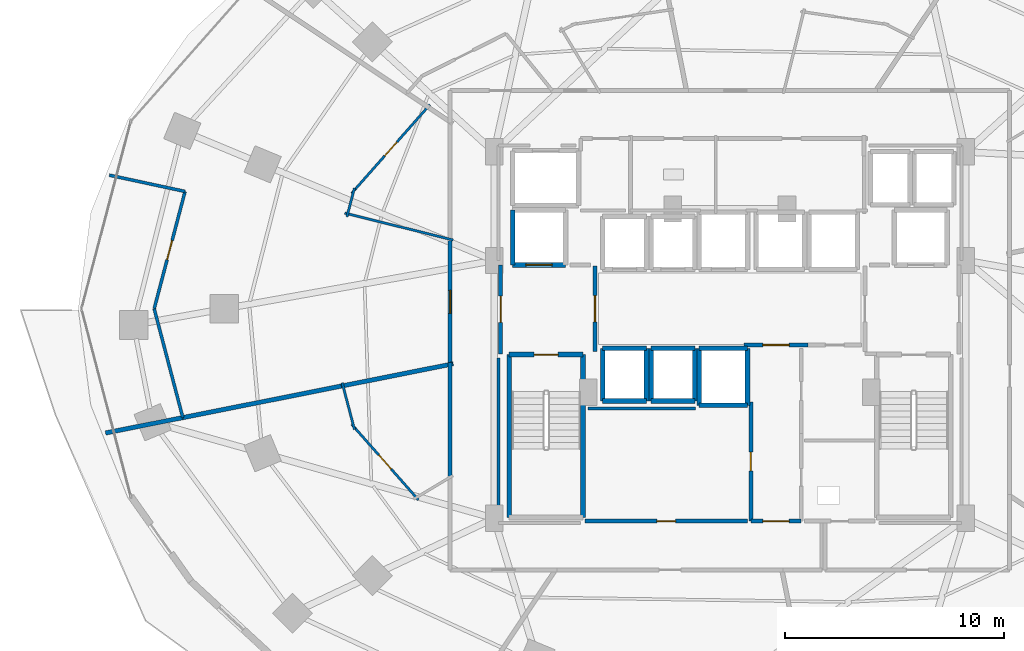
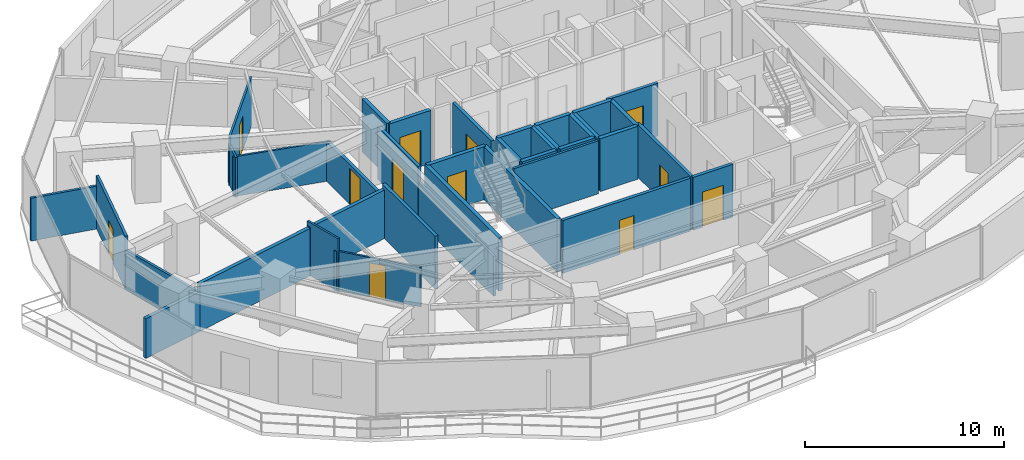
# One storey, part 26 of 33: 38 walls, 12 doors, 12 openings.
"""IFC4 building model written with IfcOpenShell, lengths in metres."""

import ifcopenshell
import ifcopenshell.guid

model = None  # the IFC model being written
_history = None  # IfcOwnerHistory: only IFC2X3 demands one
_inside = {}  # id of a spatial element -> (the spatial element, [elements in it])
_under = {}  # id of a project, library or spatial element -> (it, [spatial elements below it])
_declared = {}  # id of a project -> (the project, [libraries it declares])
_typed = {}  # id of a type object -> (the type object, [elements of that type])
_made_of = {}  # id of a material, layer set ... -> (it, [elements and type objects made of it])


def new_model(schema):
    """Start an empty IFC model of exactly this schema.

    Asked for "IFC4X3", IfcOpenShell would pick the latest addendum, in which some entities
    have other attributes; the version numbers below select the first issue.
    IFC2X3 requires an IfcOwnerHistory on every rooted entity: one is made here for all.
    """
    global model, _history
    if schema == "IFC4X3":
        model = ifcopenshell.file(schema_version=(4, 3, 0, 0))
    else:
        model = ifcopenshell.file(schema=schema)
    _inside.clear()
    _under.clear()
    _declared.clear()
    _typed.clear()
    _made_of.clear()
    _history = None
    if model.schema == "IFC2X3":
        org = make("IfcOrganization", Name="unknown")
        user = make(
            "IfcPersonAndOrganization",
            ThePerson=make("IfcPerson", FamilyName="unknown"),
            TheOrganization=org,
        )
        app = make(
            "IfcApplication",
            ApplicationDeveloper=org,
            Version="unknown",
            ApplicationFullName="unknown",
            ApplicationIdentifier="unknown",
        )
        _history = make(
            "IfcOwnerHistory",
            OwningUser=user,
            OwningApplication=app,
            ChangeAction="ADDED",
            CreationDate=0,
        )
    return model


def make(cls, **values):
    """One entity of the class cls with the attributes given. An attribute that is None is left unset."""
    return model.create_entity(
        cls, **{name: value for name, value in values.items() if value is not None}
    )


def rooted(cls, **values):
    """An entity with a GlobalId (a new one), such as an element, a storey or a relation."""
    return make(cls, GlobalId=ifcopenshell.guid.new(), OwnerHistory=_history, **values)


def si_unit(unit_type, name, prefix=None):
    """IfcSIUnit, for example si_unit("LENGTHUNIT", "METRE", prefix="MILLI")."""
    return make("IfcSIUnit", UnitType=unit_type, Prefix=prefix, Name=name)


def assignment(units):
    """IfcUnitAssignment: the units of a project."""
    return None if units is None else make("IfcUnitAssignment", Units=units)


def point(xyz):
    """IfcCartesianPoint."""
    return None if xyz is None else make("IfcCartesianPoint", Coordinates=xyz)


def direction(xyz):
    """IfcDirection."""
    return None if xyz is None else make("IfcDirection", DirectionRatios=xyz)


def frame(location, z_axis=None, x_axis=None):
    """IfcAxis2Placement3D, a coordinate frame: its origin and axes. An axis left out is left unset."""
    return make(
        "IfcAxis2Placement3D",
        Location=point(location),
        Axis=direction(z_axis),
        RefDirection=direction(x_axis),
    )


def frame_2d(location, x_axis=None):
    """IfcAxis2Placement2D, a coordinate frame in the plane: its origin and x axis."""
    return make(
        "IfcAxis2Placement2D", Location=point(location), RefDirection=direction(x_axis)
    )


def origin():
    """The frame at (0, 0, 0) with its axes left unset."""
    return frame((0.0, 0.0, 0.0))


def place(relative_to, where):
    """IfcLocalPlacement: puts the frame where relative to a parent placement (None: the world)."""
    return make(
        "IfcLocalPlacement", PlacementRelTo=relative_to, RelativePlacement=where
    )


def context(
    kind, dimensions, precision=None, world=None, true_north=None, identifier=None
):
    """IfcGeometricRepresentationContext, for example the 3D "Model" context."""
    return make(
        "IfcGeometricRepresentationContext",
        ContextIdentifier=identifier,
        ContextType=kind,
        CoordinateSpaceDimension=dimensions,
        Precision=precision,
        WorldCoordinateSystem=world,
        TrueNorth=true_north,
    )


def subcontext(parent, identifier, kind, view, scale=None):
    """IfcGeometricRepresentationSubContext, for example "Body" below "Model"."""
    return make(
        "IfcGeometricRepresentationSubContext",
        ContextIdentifier=identifier,
        ContextType=kind,
        ParentContext=parent,
        TargetScale=scale,
        TargetView=view,
    )


def project(units=None, contexts=None):
    """IfcProject with its units and contexts."""
    return rooted(
        "IfcProject",
        Name="project",
        RepresentationContexts=contexts,
        UnitsInContext=assignment(units),
    )


def spatial(cls, under=None, at=None, **own):
    """A site, building, storey or space (cls), placed at a placement, below another one or the project."""
    s = rooted(cls, ObjectPlacement=at, **own)
    if under is not None:
        _under.setdefault(under.id(), (under, []))[1].append(s)
    return s


def profile(cls, at=None, kind="AREA", **sizes):
    """A parametric profile (cls). Its sizes go by their IFC names, for example OverallWidth=200.0."""
    return make(cls, ProfileType=kind, Position=at, **sizes)


def rectangle(**sizes):
    """IfcRectangleProfileDef."""
    return profile("IfcRectangleProfileDef", **sizes)


def extrude(swept, where, along, depth):
    """IfcExtrudedAreaSolid: the profile swept, set in the frame where, extruded along a direction by depth."""
    return make(
        "IfcExtrudedAreaSolid",
        SweptArea=swept,
        Position=where,
        ExtrudedDirection=direction(along),
        Depth=depth,
    )


def shape(context_of_items, identifier, shape_type, items):
    """IfcShapeRepresentation: the items that make up one representation, for example the "Body"."""
    return make(
        "IfcShapeRepresentation",
        ContextOfItems=context_of_items,
        RepresentationIdentifier=identifier,
        RepresentationType=shape_type,
        Items=items,
    )


def material(Name=None, Category=None):
    """IfcMaterial."""
    return make("IfcMaterial", Name=Name, Category=Category)


def layer(
    of_material, thickness, ventilated=None, Name=None, Category=None, Priority=None
):
    """IfcMaterialLayer: one layer of a wall or slab, of a material (None: an air gap)."""
    return make(
        "IfcMaterialLayer",
        Material=of_material,
        LayerThickness=thickness,
        IsVentilated=ventilated,
        Name=Name,
        Category=Category,
        Priority=Priority,
    )


def layer_set(layers, Name=None):
    """IfcMaterialLayerSet."""
    return make("IfcMaterialLayerSet", MaterialLayers=layers, LayerSetName=Name)


def made_of(thing, what):
    """Note that an element or type object is made of a material, layer set ...; save() writes the relation."""
    if what is not None:
        _made_of.setdefault(what.id(), (what, []))[1].append(thing)
    return thing


def type_object(cls, material=None, **own):
    """A type object (cls), such as IfcWallType, which elements share."""
    return made_of(rooted(cls, **own), material)


def element(
    cls,
    number,
    at=None,
    inside=None,
    cuts=None,
    type_object=None,
    material=None,
    context=None,
    identifier="Body",
    shape_type=None,
    held_by="IfcProductDefinitionShape",
    body=None,
    shapes=None,
    **own,
):
    """One element of the class cls, such as IfcWall. Its Tag is "e" and its number.

    at: its placement. inside: the storey or other place that contains it. cuts: it is an
    opening in that element (IfcRelVoidsElement). A single representation is given by context,
    identifier, shape_type and body (its items); several are given by shapes. held_by: the class
    of the entity that holds the representations. save() writes the other relations.
    """
    e = rooted(cls, Tag="e%d" % number, ObjectPlacement=at, **own)
    if body is not None:
        shapes = [shape(context, identifier, shape_type, body)]
    if shapes is not None:
        e.Representation = make(held_by, Representations=shapes)
    if inside is not None:
        _inside.setdefault(inside.id(), (inside, []))[1].append(e)
    if cuts is not None:
        rooted(
            "IfcRelVoidsElement", RelatingBuildingElement=cuts, RelatedOpeningElement=e
        )
    if type_object is not None:
        _typed.setdefault(type_object.id(), (type_object, []))[1].append(e)
    return made_of(e, material)


def fill(opening, filler):
    """IfcRelFillsElement: the door or window that sits in an opening."""
    return rooted(
        "IfcRelFillsElement",
        RelatingOpeningElement=opening,
        RelatedBuildingElement=filler,
    )


def aggregate(whole, parts):
    """IfcRelAggregates: a whole, such as a stair, and the parts it consists of."""
    return rooted("IfcRelAggregates", RelatingObject=whole, RelatedObjects=parts)


def save(model, path):
    """Write the relations noted so far, then the file.

    IfcRelAggregates (storeys below a building ...), IfcRelContainedInSpatialStructure (elements
    in a storey), IfcRelDefinesByType, IfcRelAssociatesMaterial and IfcRelDeclares: one each for
    every whole, place, type object, material and project.
    """
    for whole, parts in _under.values():
        aggregate(whole, parts)
    for where, things in _inside.values():
        rooted(
            "IfcRelContainedInSpatialStructure",
            RelatedElements=things,
            RelatingStructure=where,
        )
    for kind, things in _typed.values():
        rooted("IfcRelDefinesByType", RelatedObjects=things, RelatingType=kind)
    for what, things in _made_of.values():
        rooted("IfcRelAssociatesMaterial", RelatedObjects=things, RelatingMaterial=what)
    for by, libraries in _declared.values():
        rooted("IfcRelDeclares", RelatingContext=by, RelatedDefinitions=libraries)
    model.write(path)


model = new_model("IFC4")

# Units and contexts
model_context = context("Model", 3, precision=1e-05, world=origin(), true_north=direction((0.0, 1.0)))
body_context = subcontext(model_context, "Body", "Model", "MODEL_VIEW")
ifc_project = project(units=[si_unit("LENGTHUNIT", "METRE"), si_unit("AREAUNIT", "SQUARE_METRE"), si_unit("VOLUMEUNIT", "CUBIC_METRE"), si_unit("PLANEANGLEUNIT", "RADIAN"), si_unit("MASSUNIT", "GRAM", prefix="KILO")], contexts=[model_context])

# Site, building, storey
site_placement = place(None, origin())
site = spatial("IfcSite", under=ifc_project, at=site_placement, CompositionType="ELEMENT")
building_placement = place(site_placement, origin())
building = spatial("IfcBuilding", under=site, at=building_placement, Name="Vorneva Point Tower", CompositionType="ELEMENT")
storey_placement = place(building_placement, frame((0.0, 0.0, 34.5)))
storey = spatial("IfcBuildingStorey", under=building, at=storey_placement, Name="L08", CompositionType="ELEMENT", Elevation=34.5)

# Wall, opening, door
ifc_material_1 = material(Name="Concrete B60 (C50/60)", Category="concrete")
ifc_layer_1 = layer(ifc_material_1, 0.5)
ifc_layer_set_1 = layer_set([ifc_layer_1], Name="Concrete B60 (C50/60)")
wall_type_1 = type_object("IfcWallType", Name="WL-CORE-500", PredefinedType="SHEAR", material=ifc_layer_set_1)
wall_1_placement = place(storey_placement, frame((28.10009765625, 28.0, 0.0), z_axis=(0.0, 0.0, 1.0), x_axis=(1.0, 0.0, 0.0)))
wall_1 = element("IfcWall", 1, at=wall_1_placement, inside=storey, type_object=wall_type_1, Name="L08 Lift FFL1 Shaft Wall -Y", PredefinedType="SHEAR", context=body_context, shape_type="SweptSolid", body=[
    extrude(rectangle(XDim=2.39990234375, YDim=0.219970703125, at=frame_2d((1.199951171875, 0.0))), origin(), (0.0, 0.0, 1.0), 3.239990234375),
])
opening_1_placement = place(wall_1_placement, frame((0.60009765625, 0.0, 0.0)))
opening_1 = element("IfcOpeningElement", 2, at=opening_1_placement, cuts=wall_1, Name="Opening LD-02", PredefinedType="OPENING", context=body_context, shape_type="SweptSolid", body=[
    extrude(rectangle(XDim=1.199951171875, YDim=2.199951171875, at=frame_2d((0.60009765625, 1.10009765625))), frame((0.0, 0.125, 0.0), z_axis=(0.0, -1.0, 0.0), x_axis=(1.0, 0.0, 0.0)), (0.0, 0.0, 1.0), 0.249755859375),
])
ifc_material_2 = material(Name="Brushed stainless steel S304", Category="steel")
door_type_1 = type_object("IfcDoorType", Name="LD-FIRE-1200", OperationType="SLIDING_TO_LEFT", PredefinedType="DOOR", material=ifc_material_2)
door_1_placement = place(opening_1_placement, origin())
door_1 = element("IfcDoor", 3, at=door_1_placement, inside=storey, type_object=door_type_1, Name="L08 Lift FFL1 Sliding Landing Door", OperationType="SLIDING_TO_LEFT", OverallHeight=2.199951171875, OverallWidth=1.199951171875, PredefinedType="DOOR", context=body_context, shape_type="SweptSolid", body=[
    extrude(rectangle(XDim=1.199951171875, YDim=2.199951171875, at=frame_2d((0.60009765625, 1.10009765625))), frame((0.0, 0.02490234375, 0.0), z_axis=(0.0, -1.0, 0.0), x_axis=(1.0, 0.0, 0.0)), (0.0, 0.0, 1.0), 0.050048828125),
])
fill(opening_1, door_1)

# Walls
wall_2_placement = place(storey_placement, frame((28.10009765625, 30.5, 0.0), z_axis=(0.0, 0.0, 1.0), x_axis=(0.0, -1.0, 0.0)))
element("IfcWall", 4, at=wall_2_placement, inside=storey, type_object=wall_type_1, Name="L08 Lift FFL1 Shaft Wall -X", PredefinedType="SHEAR", context=body_context, shape_type="SweptSolid", body=[
    extrude(rectangle(XDim=2.5, YDim=0.219970703125, at=frame_2d((1.25, 0.0))), origin(), (0.0, 0.0, 1.0), 3.239990234375),
])
ifc_material_3 = material(Name="Fire-rated acoustic gypsum stud partition", Category="gypsum")
ifc_layer_2 = layer(ifc_material_3, 0.110107421875)
ifc_layer_set_2 = layer_set([ifc_layer_2], Name="Fire-rated acoustic gypsum stud partition")
wall_type_2 = type_object("IfcWallType", Name="WL-PART-110", PredefinedType="PARTITIONING", material=ifc_layer_set_2)
wall_3_placement = place(storey_placement, frame((25.385986328125, 29.13330078125, 0.0), z_axis=(0.0, 0.0, 1.0), x_axis=(-0.970485458541, 0.241159645796, 0.0)))
element("IfcWall", 5, at=wall_3_placement, inside=storey, type_object=wall_type_2, Name="L08 Interior Partition 071", PredefinedType="PARTITIONING", context=body_context, shape_type="SweptSolid", body=[
    extrude(rectangle(XDim=5.09423828125, YDim=0.110107421875, at=frame_2d((2.547119140625, 0.0))), origin(), (0.0, 0.0, 1.0), 2.431884765625),
])
wall_4_placement = place(storey_placement, frame((20.542236328125, 30.192626953125, 0.0), z_axis=(0.0, 0.0, 1.0), x_axis=(0.254988593673, 0.966944060997, 0.0)))
element("IfcWall", 6, at=wall_4_placement, inside=storey, type_object=wall_type_2, Name="L08 Interior Partition 072", PredefinedType="PARTITIONING", context=body_context, shape_type="SweptSolid", body=[
    extrude(rectangle(XDim=1.358642578125, YDim=0.110107421875, at=frame_2d((0.67919921875, 0.0))), origin(), (0.0, 0.0, 1.0), 2.431884765625),
])

# Wall, opening, door
wall_5_placement = place(storey_placement, frame((20.76025390625, 31.26611328125, 0.0), z_axis=(0.0, 0.0, 1.0), x_axis=(0.662087707802, 0.749426358742, 0.0)))
wall_5 = element("IfcWall", 7, at=wall_5_placement, inside=storey, type_object=wall_type_2, Name="L08 Interior Partition 073", PredefinedType="PARTITIONING", context=body_context, shape_type="SweptSolid", body=[
    extrude(rectangle(XDim=5.38671875, YDim=0.110107421875, at=frame_2d((2.693359375, 0.0))), origin(), (0.0, 0.0, 1.0), 2.971923828125),
])
opening_2_placement = place(wall_5_placement, frame((2.268310546875, 0.0, 0.0)))
opening_2 = element("IfcOpeningElement", 8, at=opening_2_placement, cuts=wall_5, Name="Opening ID-02", PredefinedType="OPENING", context=body_context, shape_type="SweptSolid", body=[
    extrude(rectangle(XDim=0.85009765625, YDim=2.10009765625, at=frame_2d((0.425048828125, 1.050048828125))), frame((0.0, 0.06982421875, 0.0), z_axis=(0.0, -1.0, 0.0), x_axis=(1.0, 0.0, 0.0)), (0.0, 0.0, 1.0), 0.139892578125),
])
ifc_material_4 = material(Name="Engineered oak fire-rated door leaf", Category="wood")
door_type_2 = type_object("IfcDoorType", Name="DR-BATH-850", OperationType="NOTDEFINED", PredefinedType="DOOR", material=ifc_material_4)
door_2_placement = place(opening_2_placement, origin())
door_2 = element("IfcDoor", 9, at=door_2_placement, inside=storey, type_object=door_type_2, Name="L08 Door Executive Suite L08-04 / En-Suite Bathroom L08-04", OperationType="SINGLE_SWING_LEFT", OverallHeight=2.10009765625, OverallWidth=0.85009765625, PredefinedType="DOOR", context=body_context, shape_type="SweptSolid", body=[
    extrude(rectangle(XDim=0.85009765625, YDim=2.10009765625, at=frame_2d((0.425048828125, 1.050048828125))), frame((0.0, 0.02490234375, 0.0), z_axis=(0.0, -1.0, 0.0), x_axis=(1.0, 0.0, 0.0)), (0.0, 0.0, 1.0), 0.050048828125),
])
fill(opening_2, door_2)

wall_6_placement = place(storey_placement, frame((23.8017578125, 17.291015625, 0.0), z_axis=(0.0, 0.0, 1.0), x_axis=(-0.662071486681, 0.74944068913, 0.0)))
wall_6 = element("IfcWall", 10, at=wall_6_placement, inside=storey, type_object=wall_type_2, Name="L08 Interior Partition 081", PredefinedType="PARTITIONING", context=body_context, shape_type="SweptSolid", body=[
    extrude(rectangle(XDim=4.593994140625, YDim=0.110107421875, at=frame_2d((2.296875, 0.0))), origin(), (0.0, 0.0, 1.0), 2.431884765625),
])
opening_3_placement = place(wall_6_placement, frame((1.871826171875, 0.0, 0.0)))
opening_3 = element("IfcOpeningElement", 11, at=opening_3_placement, cuts=wall_6, Name="Opening ID-02", PredefinedType="OPENING", context=body_context, shape_type="SweptSolid", body=[
    extrude(rectangle(XDim=0.85009765625, YDim=2.10009765625, at=frame_2d((0.425048828125, 1.050048828125))), frame((0.0, 0.06982421875, 0.0), z_axis=(0.0, -1.0, 0.0), x_axis=(1.0, 0.0, 0.0)), (0.0, 0.0, 1.0), 0.139892578125),
])
door_3_placement = place(opening_3_placement, origin())
door_3 = element("IfcDoor", 12, at=door_3_placement, inside=storey, type_object=door_type_2, Name="L08 Door Corner Suite L08-05 / En-Suite Bathroom L08-05", OperationType="SINGLE_SWING_LEFT", OverallHeight=2.10009765625, OverallWidth=0.85009765625, PredefinedType="DOOR", context=body_context, shape_type="SweptSolid", body=[
    extrude(rectangle(XDim=0.85009765625, YDim=2.10009765625, at=frame_2d((0.425048828125, 1.050048828125))), frame((0.0, 0.02490234375, 0.0), z_axis=(0.0, -1.0, 0.0), x_axis=(1.0, 0.0, 0.0)), (0.0, 0.0, 1.0), 0.050048828125),
])
fill(opening_3, door_3)

# Walls
wall_7_placement = place(storey_placement, frame((20.888671875, 20.49365234375, 0.0), z_axis=(0.0, 0.0, 1.0), x_axis=(-0.254389812051, 0.967101764823, 0.0)))
element("IfcWall", 13, at=wall_7_placement, inside=storey, type_object=wall_type_2, Name="L08 Interior Partition 082", PredefinedType="PARTITIONING", context=body_context, shape_type="SweptSolid", body=[
    extrude(rectangle(XDim=2.206298828125, YDim=0.110107421875, at=frame_2d((1.10302734375, 0.0))), origin(), (0.0, 0.0, 1.0), 3.239990234375),
])
ifc_layer_3 = layer(ifc_material_3, 0.139892578125)
ifc_layer_set_3 = layer_set([ifc_layer_3], Name="Fire-rated acoustic gypsum stud partition")
wall_type_3 = type_object("IfcWallType", Name="WL-PART-140", PredefinedType="PARTITIONING", material=ifc_layer_set_3)
wall_8_placement = place(storey_placement, frame((9.712890625, 32.090087890625, 0.0), z_axis=(0.0, 0.0, 1.0), x_axis=(0.977615913399, -0.210397542448, 0.0)))
element("IfcWall", 14, at=wall_8_placement, inside=storey, type_object=wall_type_3, Name="L08 Interior Partition 074", PredefinedType="PARTITIONING", context=body_context, shape_type="SweptSolid", body=[
    extrude(rectangle(XDim=3.5322265625, YDim=0.139892578125, at=frame_2d((1.76611328125, 0.0))), origin(), (0.0, 0.0, 1.0), 2.6240234375),
])

# Wall, opening, door
wall_9_placement = place(storey_placement, frame((13.166015625, 31.346923828125, 0.0), z_axis=(0.0, 0.0, 1.0), x_axis=(-0.25431071056, -0.967122568496, 0.0)))
wall_9 = element("IfcWall", 15, at=wall_9_placement, inside=storey, type_object=wall_type_3, Name="L08 Interior Partition 075", PredefinedType="PARTITIONING", context=body_context, shape_type="SweptSolid", body=[
    extrude(rectangle(XDim=5.52880859375, YDim=0.139892578125, at=frame_2d((2.764404296875, 0.0))), origin(), (0.0, 0.0, 1.0), 3.239990234375),
])
opening_4_placement = place(wall_9_placement, frame((2.314453125, 0.0, 0.0)))
opening_4 = element("IfcOpeningElement", 16, at=opening_4_placement, cuts=wall_9, Name="Opening ID-01", PredefinedType="OPENING", context=body_context, shape_type="SweptSolid", body=[
    extrude(rectangle(XDim=0.89990234375, YDim=2.10009765625, at=frame_2d((0.449951171875, 1.050048828125))), frame((0.0, 0.0849609375, 0.0), z_axis=(0.0, -1.0, 0.0), x_axis=(1.0, 0.0, 0.0)), (0.0, 0.0, 1.0), 0.169677734375),
])
door_type_3 = type_object("IfcDoorType", Name="DR-ROOM-900", OperationType="NOTDEFINED", PredefinedType="DOOR", material=ifc_material_4)
door_4_placement = place(opening_4_placement, origin())
door_4 = element("IfcDoor", 17, at=door_4_placement, inside=storey, type_object=door_type_3, Name="L08 Door Executive Suite L08-04 / Suite Sitting Study L08-04", OperationType="SINGLE_SWING_RIGHT", OverallHeight=2.10009765625, OverallWidth=0.89990234375, PredefinedType="DOOR", context=body_context, shape_type="SweptSolid", body=[
    extrude(rectangle(XDim=0.89990234375, YDim=2.10009765625, at=frame_2d((0.449951171875, 1.050048828125))), frame((0.0, 0.02490234375, 0.0), z_axis=(0.0, -1.0, 0.0), x_axis=(1.0, 0.0, 0.0)), (0.0, 0.0, 1.0), 0.050048828125),
])
fill(opening_4, door_4)

# Walls
wall_10_placement = place(storey_placement, frame((11.760009765625, 26.0, 0.0), z_axis=(0.0, 0.0, 1.0), x_axis=(0.254434720755, -0.967089950767, 0.0)))
element("IfcWall", 18, at=wall_10_placement, inside=storey, type_object=wall_type_3, Name="L08 Interior Partition 076", PredefinedType="PARTITIONING", context=body_context, shape_type="SweptSolid", body=[
    extrude(rectangle(XDim=5.128662109375, YDim=0.139892578125, at=frame_2d((2.564453125, 0.0))), origin(), (0.0, 0.0, 1.0), 2.431884765625),
])
wall_11_placement = place(storey_placement, frame((36.43896484375, 21.449951171875, 0.0), z_axis=(0.0, 0.0, 1.0), x_axis=(-1.0, 0.0, 0.0)))
element("IfcWall", 19, at=wall_11_placement, inside=storey, type_object=wall_type_3, Name="L08 Interior Closure Partition 093", PredefinedType="PARTITIONING", context=body_context, shape_type="SweptSolid", body=[
    extrude(rectangle(XDim=4.908935546875, YDim=0.139892578125, at=frame_2d((2.45458984375, 0.0))), origin(), (0.0, 0.0, 1.0), 3.239990234375),
])
wall_12_placement = place(storey_placement, frame((27.449951171875, 16.239990234375, 0.0), z_axis=(0.0, 0.0, 1.0), x_axis=(0.0, 1.0, 0.0)))
element("IfcWall", 20, at=wall_12_placement, inside=storey, type_object=wall_type_3, Name="L08 Interior Closure Partition 099", PredefinedType="PARTITIONING", context=body_context, shape_type="SweptSolid", body=[
    extrude(rectangle(XDim=7.513916015625, YDim=0.139892578125, at=frame_2d((3.7568359375, 0.0))), origin(), (0.0, 0.0, 1.0), 2.431884765625),
])

# Wall, opening, door
ifc_material_5 = material(Name="Autoclaved aerated concrete blockwork", Category="masonry")
ifc_layer_4 = layer(ifc_material_5, 0.179931640625)
ifc_layer_set_4 = layer_set([ifc_layer_4], Name="Autoclaved aerated concrete blockwork")
wall_type_4 = type_object("IfcWallType", Name="WL-PART-180", PredefinedType="PARTITIONING", material=ifc_layer_set_4)
wall_13_placement = place(storey_placement, frame((31.85009765625, 24.044921875, 0.0), z_axis=(0.0, 0.0, 1.0), x_axis=(0.0, 1.0, 0.0)))
wall_13 = element("IfcWall", 21, at=wall_13_placement, inside=storey, type_object=wall_type_4, Name="L08 Interior Partition 001", PredefinedType="PARTITIONING", context=body_context, shape_type="SweptSolid", body=[
    extrude(rectangle(XDim=3.91015625, YDim=0.179931640625, at=frame_2d((1.955078125, 0.0))), origin(), (0.0, 0.0, 1.0), 3.239990234375),
])
opening_5_placement = place(wall_13_placement, frame((1.35498046875, 0.0, 0.0)))
opening_5 = element("IfcOpeningElement", 22, at=opening_5_placement, cuts=wall_13, Name="Opening FD-02", PredefinedType="OPENING", context=body_context, shape_type="SweptSolid", body=[
    extrude(rectangle(XDim=1.199951171875, YDim=2.14990234375, at=frame_2d((0.60009765625, 1.074951171875))), frame((0.0, 0.10498046875, 0.0), z_axis=(0.0, -1.0, 0.0), x_axis=(1.0, 0.0, 0.0)), (0.0, 0.0, 1.0), 0.209716796875),
])
ifc_material_6 = material(Name="Fire-rated powder-coated steel", Category="steel")
door_type_4 = type_object("IfcDoorType", Name="DR-FFL-1200", OperationType="NOTDEFINED", PredefinedType="DOOR", material=ifc_material_6)
door_5_placement = place(opening_5_placement, origin())
door_5 = element("IfcDoor", 23, at=door_5_placement, inside=storey, type_object=door_type_4, Name="L08 Door West Firefighting Lobby / Central Lift Lobby", OperationType="SINGLE_SWING_RIGHT", OverallHeight=2.14990234375, OverallWidth=1.199951171875, PredefinedType="DOOR", context=body_context, shape_type="SweptSolid", body=[
    extrude(rectangle(XDim=1.199951171875, YDim=2.14990234375, at=frame_2d((0.60009765625, 1.074951171875))), frame((0.0, 0.02490234375, 0.0), z_axis=(0.0, -1.0, 0.0), x_axis=(1.0, 0.0, 0.0)), (0.0, 0.0, 1.0), 0.050048828125),
])
fill(opening_5, door_5)

wall_14_placement = place(storey_placement, frame((27.550048828125, 28.0, 0.0), z_axis=(0.0, 0.0, 1.0), x_axis=(0.0, -1.0, 0.0)))
wall_14 = element("IfcWall", 24, at=wall_14_placement, inside=storey, type_object=wall_type_4, Name="L08 Interior Partition 002", PredefinedType="PARTITIONING", context=body_context, shape_type="SweptSolid", body=[
    extrude(rectangle(XDim=4.050048828125, YDim=0.179931640625, at=frame_2d((2.02490234375, 0.0))), origin(), (0.0, 0.0, 1.0), 3.239990234375),
])
opening_6_placement = place(wall_14_placement, frame((1.425048828125, 0.0, 0.0)))
opening_6 = element("IfcOpeningElement", 25, at=opening_6_placement, cuts=wall_14, Name="Opening FD-02", PredefinedType="OPENING", context=body_context, shape_type="SweptSolid", body=[
    extrude(rectangle(XDim=1.199951171875, YDim=2.14990234375, at=frame_2d((0.60009765625, 1.074951171875))), frame((0.0, 0.10498046875, 0.0), z_axis=(0.0, -1.0, 0.0), x_axis=(1.0, 0.0, 0.0)), (0.0, 0.0, 1.0), 0.209716796875),
])
door_6_placement = place(opening_6_placement, origin())
door_6 = element("IfcDoor", 26, at=door_6_placement, inside=storey, type_object=door_type_4, Name="L08 Door West Firefighting Lobby / L08 Circulation Corridor", OperationType="SINGLE_SWING_RIGHT", OverallHeight=2.14990234375, OverallWidth=1.199951171875, PredefinedType="DOOR", context=body_context, shape_type="SweptSolid", body=[
    extrude(rectangle(XDim=1.199951171875, YDim=2.14990234375, at=frame_2d((0.60009765625, 1.074951171875))), frame((0.0, 0.02490234375, 0.0), z_axis=(0.0, -1.0, 0.0), x_axis=(1.0, 0.0, 0.0)), (0.0, 0.0, 1.0), 0.050048828125),
])
fill(opening_6, door_6)

wall_15_placement = place(storey_placement, frame((38.64501953125, 24.35009765625, 0.0), z_axis=(0.0, 0.0, 1.0), x_axis=(1.0, 0.0, 0.0)))
wall_15 = element("IfcWall", 27, at=wall_15_placement, inside=storey, type_object=wall_type_4, Name="L08 Interior Partition 009", PredefinedType="PARTITIONING", context=body_context, shape_type="SweptSolid", body=[
    extrude(rectangle(XDim=2.909912109375, YDim=0.179931640625, at=frame_2d((1.455078125, 0.0))), origin(), (0.0, 0.0, 1.0), 3.239990234375),
])
opening_7_placement = place(wall_15_placement, frame((0.85498046875, 0.0, 0.0)))
opening_7 = element("IfcOpeningElement", 28, at=opening_7_placement, cuts=wall_15, Name="Opening FD-02", PredefinedType="OPENING", context=body_context, shape_type="SweptSolid", body=[
    extrude(rectangle(XDim=1.199951171875, YDim=2.14990234375, at=frame_2d((0.60009765625, 1.074951171875))), frame((0.0, 0.10498046875, 0.0), z_axis=(0.0, -1.0, 0.0), x_axis=(1.0, 0.0, 0.0)), (0.0, 0.0, 1.0), 0.209716796875),
])
door_7_placement = place(opening_7_placement, origin())
door_7 = element("IfcDoor", 29, at=door_7_placement, inside=storey, type_object=door_type_4, Name="L08 Door Central Lift Lobby / Core Service Lobby", OperationType="SINGLE_SWING_LEFT", OverallHeight=2.14990234375, OverallWidth=1.199951171875, PredefinedType="DOOR", context=body_context, shape_type="SweptSolid", body=[
    extrude(rectangle(XDim=1.199951171875, YDim=2.14990234375, at=frame_2d((0.60009765625, 1.074951171875))), frame((0.0, 0.02490234375, 0.0), z_axis=(0.0, -1.0, 0.0), x_axis=(1.0, 0.0, 0.0)), (0.0, 0.0, 1.0), 0.050048828125),
])
fill(opening_7, door_7)

wall_16_placement = place(storey_placement, frame((38.949951171875, 21.7548828125, 0.0), z_axis=(0.0, 0.0, 1.0), x_axis=(0.0, -1.0, 0.0)))
wall_16 = element("IfcWall", 30, at=wall_16_placement, inside=storey, type_object=wall_type_4, Name="L08 Interior Partition 013", PredefinedType="PARTITIONING", context=body_context, shape_type="SweptSolid", body=[
    extrude(rectangle(XDim=5.434814453125, YDim=0.179931640625, at=frame_2d((2.71728515625, 0.0))), origin(), (0.0, 0.0, 1.0), 3.239990234375),
])
opening_8_placement = place(wall_16_placement, frame((2.29248046875, 0.0, 0.0)))
opening_8 = element("IfcOpeningElement", 31, at=opening_8_placement, cuts=wall_16, Name="Opening ID-02", PredefinedType="OPENING", context=body_context, shape_type="SweptSolid", body=[
    extrude(rectangle(XDim=0.85009765625, YDim=2.10009765625, at=frame_2d((0.425048828125, 1.050048828125))), frame((0.0, 0.10498046875, 0.0), z_axis=(0.0, -1.0, 0.0), x_axis=(1.0, 0.0, 0.0)), (0.0, 0.0, 1.0), 0.209716796875),
])
door_8_placement = place(opening_8_placement, origin())
door_8 = element("IfcDoor", 32, at=door_8_placement, inside=storey, type_object=door_type_2, Name="L08 Door Core Service Lobby / Housekeeping and Linen Room", OperationType="SINGLE_SWING_LEFT", OverallHeight=2.10009765625, OverallWidth=0.85009765625, PredefinedType="DOOR", context=body_context, shape_type="SweptSolid", body=[
    extrude(rectangle(XDim=0.85009765625, YDim=2.10009765625, at=frame_2d((0.425048828125, 1.050048828125))), frame((0.0, 0.02490234375, 0.0), z_axis=(0.0, -1.0, 0.0), x_axis=(1.0, 0.0, 0.0)), (0.0, 0.0, 1.0), 0.050048828125),
])
fill(opening_8, door_8)

wall_17_placement = place(storey_placement, frame((38.949951171875, 16.320068359375, 0.0), z_axis=(0.0, 0.0, 1.0), x_axis=(1.0, 0.0, 0.0)))
wall_17 = element("IfcWall", 33, at=wall_17_placement, inside=storey, type_object=wall_type_4, Name="L08 Interior Partition 014", PredefinedType="PARTITIONING", context=body_context, shape_type="SweptSolid", body=[
    extrude(rectangle(XDim=2.300048828125, YDim=0.179931640625, at=frame_2d((1.14990234375, 0.0))), origin(), (0.0, 0.0, 1.0), 3.239990234375),
])
opening_9_placement = place(wall_17_placement, frame((0.550048828125, 0.0, 0.0)))
opening_9 = element("IfcOpeningElement", 34, at=opening_9_placement, cuts=wall_17, Name="Opening FD-02", PredefinedType="OPENING", context=body_context, shape_type="SweptSolid", body=[
    extrude(rectangle(XDim=1.199951171875, YDim=2.14990234375, at=frame_2d((0.60009765625, 1.074951171875))), frame((0.0, 0.10498046875, 0.0), z_axis=(0.0, -1.0, 0.0), x_axis=(1.0, 0.0, 0.0)), (0.0, 0.0, 1.0), 0.209716796875),
])
door_9_placement = place(opening_9_placement, origin())
door_9 = element("IfcDoor", 35, at=door_9_placement, inside=storey, type_object=door_type_4, Name="L08 Door Core Service Lobby / L08 Circulation Corridor", OperationType="SINGLE_SWING_RIGHT", OverallHeight=2.14990234375, OverallWidth=1.199951171875, PredefinedType="DOOR", context=body_context, shape_type="SweptSolid", body=[
    extrude(rectangle(XDim=1.199951171875, YDim=2.14990234375, at=frame_2d((0.60009765625, 1.074951171875))), frame((0.0, 0.02490234375, 0.0), z_axis=(0.0, -1.0, 0.0), x_axis=(1.0, 0.0, 0.0)), (0.0, 0.0, 1.0), 0.050048828125),
])
fill(opening_9, door_9)

wall_18_placement = place(storey_placement, frame((31.39990234375, 16.320068359375, 0.0), z_axis=(0.0, 0.0, 1.0), x_axis=(1.0, 0.0, 0.0)))
wall_18 = element("IfcWall", 36, at=wall_18_placement, inside=storey, type_object=wall_type_4, Name="L08 Interior Partition 021", PredefinedType="PARTITIONING", context=body_context, shape_type="SweptSolid", body=[
    extrude(rectangle(XDim=7.400146484375, YDim=0.179931640625, at=frame_2d((3.7001953125, 0.0))), origin(), (0.0, 0.0, 1.0), 3.239990234375),
])
opening_10_placement = place(wall_18_placement, frame((3.27490234375, 0.0, 0.0)))
opening_10 = element("IfcOpeningElement", 37, at=opening_10_placement, cuts=wall_18, Name="Opening ID-02", PredefinedType="OPENING", context=body_context, shape_type="SweptSolid", body=[
    extrude(rectangle(XDim=0.85009765625, YDim=2.10009765625, at=frame_2d((0.425048828125, 1.050048828125))), frame((0.0, 0.10498046875, 0.0), z_axis=(0.0, -1.0, 0.0), x_axis=(1.0, 0.0, 0.0)), (0.0, 0.0, 1.0), 0.209716796875),
])
door_10_placement = place(opening_10_placement, origin())
door_10 = element("IfcDoor", 38, at=door_10_placement, inside=storey, type_object=door_type_2, Name="L08 Door Housekeeping and Linen Room / L08 Circulation Corridor", OperationType="SINGLE_SWING_RIGHT", OverallHeight=2.10009765625, OverallWidth=0.85009765625, PredefinedType="DOOR", context=body_context, shape_type="SweptSolid", body=[
    extrude(rectangle(XDim=0.85009765625, YDim=2.10009765625, at=frame_2d((0.425048828125, 1.050048828125))), frame((0.0, 0.02490234375, 0.0), z_axis=(0.0, -1.0, 0.0), x_axis=(1.0, 0.0, 0.0)), (0.0, 0.0, 1.0), 0.050048828125),
])
fill(opening_10, door_10)

wall_19_placement = place(storey_placement, frame((25.25, 29.22900390625, 0.0), z_axis=(0.0, 0.0, 1.0), x_axis=(0.0, -1.0, 0.0)))
wall_19 = element("IfcWall", 39, at=wall_19_placement, inside=storey, type_object=wall_type_4, Name="L08 Interior Partition 031", PredefinedType="PARTITIONING", context=body_context, shape_type="SweptSolid", body=[
    extrude(rectangle(XDim=5.825927734375, YDim=0.179931640625, at=frame_2d((2.9130859375, 0.0))), origin(), (0.0, 0.0, 1.0), 2.431884765625),
])
opening_11_placement = place(wall_19_placement, frame((2.387939453125, 0.0, 0.0)))
opening_11 = element("IfcOpeningElement", 40, at=opening_11_placement, cuts=wall_19, Name="Opening UD-02", PredefinedType="OPENING", context=body_context, shape_type="SweptSolid", body=[
    extrude(rectangle(XDim=1.050048828125, YDim=2.199951171875, at=frame_2d((0.52490234375, 1.10009765625))), frame((0.0, 0.10498046875, 0.0), z_axis=(0.0, -1.0, 0.0), x_axis=(1.0, 0.0, 0.0)), (0.0, 0.0, 1.0), 0.209716796875),
])
door_type_5 = type_object("IfcDoorType", Name="DR-SUITE-1050", OperationType="NOTDEFINED", PredefinedType="DOOR", material=ifc_material_4)
door_11_placement = place(opening_11_placement, origin())
door_11 = element("IfcDoor", 41, at=door_11_placement, inside=storey, type_object=door_type_5, Name="L08 Door L08 Circulation Corridor / Executive Suite L08-04", OperationType="SINGLE_SWING_LEFT", OverallHeight=2.199951171875, OverallWidth=1.050048828125, PredefinedType="DOOR", context=body_context, shape_type="SweptSolid", body=[
    extrude(rectangle(XDim=1.050048828125, YDim=2.199951171875, at=frame_2d((0.52490234375, 1.10009765625))), frame((0.0, 0.02490234375, 0.0), z_axis=(0.0, -1.0, 0.0), x_axis=(1.0, 0.0, 0.0)), (0.0, 0.0, 1.0), 0.050048828125),
])
fill(opening_11, door_11)

# Walls
wall_20_placement = place(storey_placement, frame((25.25, 23.54296875, 0.0), z_axis=(0.0, 0.0, 1.0), x_axis=(0.0, -1.0, 0.0)))
element("IfcWall", 42, at=wall_20_placement, inside=storey, type_object=wall_type_4, Name="L08 Interior Partition 035", PredefinedType="PARTITIONING", context=body_context, shape_type="SweptSolid", body=[
    extrude(rectangle(XDim=5.299072265625, YDim=0.179931640625, at=frame_2d((2.6494140625, 0.0))), origin(), (0.0, 0.0, 1.0), 3.239990234375),
])
ifc_layer_5 = layer(ifc_material_5, 0.199951171875)
ifc_layer_set_5 = layer_set([ifc_layer_5], Name="Autoclaved aerated concrete blockwork")
wall_type_5 = type_object("IfcWallType", Name="WL-PART-200", PredefinedType="PARTITIONING", material=ifc_layer_set_5)
wall_21_placement = place(storey_placement, frame((13.06494140625, 21.0400390625, 0.0), z_axis=(0.0, 0.0, 1.0), x_axis=(0.980774220135, 0.195145917502, 0.0)))
element("IfcWall", 43, at=wall_21_placement, inside=storey, type_object=wall_type_5, Name="L08 Interior Partition 077", PredefinedType="PARTITIONING", context=body_context, shape_type="SweptSolid", body=[
    extrude(rectangle(XDim=7.50146484375, YDim=0.199951171875, at=frame_2d((3.750732421875, 0.0))), origin(), (0.0, 0.0, 1.0), 2.922119140625),
])
wall_22_placement = place(storey_placement, frame((20.284912109375, 22.476318359375, 0.0), z_axis=(0.0, 0.0, 1.0), x_axis=(0.980785905074, 0.195087181559, 0.0)))
element("IfcWall", 44, at=wall_22_placement, inside=storey, type_object=wall_type_5, Name="L08 Interior Partition 078", PredefinedType="PARTITIONING", context=body_context, shape_type="SweptSolid", body=[
    extrude(rectangle(XDim=5.2021484375, YDim=0.199951171875, at=frame_2d((2.60107421875, 0.0))), origin(), (0.0, 0.0, 1.0), 2.971923828125),
])
wall_23_placement = place(storey_placement, frame((9.541015625, 20.339111328125, 0.0), z_axis=(0.0, 0.0, 1.0), x_axis=(0.980786594985, 0.195083713053, 0.0)))
element("IfcWall", 45, at=wall_23_placement, inside=storey, type_object=wall_type_5, Name="L08 Interior Partition 079", PredefinedType="PARTITIONING", context=body_context, shape_type="SweptSolid", body=[
    extrude(rectangle(XDim=3.593017578125, YDim=0.199951171875, at=frame_2d((1.79638671875, 0.0))), origin(), (0.0, 0.0, 1.0), 2.431884765625),
])

# Wall, opening, door
ifc_material_7 = material(Name="Concrete B50 (C40/50)", Category="concrete")
ifc_layer_6 = layer(ifc_material_7, 0.219970703125)
ifc_layer_set_6 = layer_set([ifc_layer_6], Name="Concrete B50 (C40/50)")
wall_type_6 = type_object("IfcWallType", Name="WL-SHFT-220", PredefinedType="SOLIDWALL", material=ifc_layer_set_6)
wall_24_placement = place(storey_placement, frame((27.93994140625, 23.909912109375, 0.0), z_axis=(0.0, 0.0, 1.0), x_axis=(1.0, 0.0, 0.0)))
wall_24 = element("IfcWall", 46, at=wall_24_placement, inside=storey, type_object=wall_type_6, Name="L08 Exit Stair ST1 Shaft Wall near", PredefinedType="SOLIDWALL", context=body_context, shape_type="SweptSolid", body=[
    extrude(rectangle(XDim=3.3701171875, YDim=0.219970703125, at=frame_2d((1.68505859375, 0.0))), origin(), (0.0, 0.0, 1.0), 3.239990234375),
])
opening_12_placement = place(wall_24_placement, frame((1.135009765625, 0.0, 0.0)))
opening_12 = element("IfcOpeningElement", 47, at=opening_12_placement, cuts=wall_24, Name="Opening FD-01", PredefinedType="OPENING", context=body_context, shape_type="SweptSolid", body=[
    extrude(rectangle(XDim=1.10009765625, YDim=2.14990234375, at=frame_2d((0.550048828125, 1.074951171875))), frame((0.0, 0.125, 0.0), z_axis=(0.0, -1.0, 0.0), x_axis=(1.0, 0.0, 0.0)), (0.0, 0.0, 1.0), 0.249755859375),
])
door_type_6 = type_object("IfcDoorType", Name="DR-STAIR-1100", OperationType="NOTDEFINED", PredefinedType="DOOR", material=ifc_material_6)
door_12_placement = place(opening_12_placement, origin())
door_12 = element("IfcDoor", 48, at=door_12_placement, inside=storey, type_object=door_type_6, Name="L08 Exit Stair ST1 Fire Door", OperationType="SINGLE_SWING_RIGHT", OverallHeight=2.14990234375, OverallWidth=1.10009765625, PredefinedType="DOOR", context=body_context, shape_type="SweptSolid", body=[
    extrude(rectangle(XDim=1.10009765625, YDim=2.14990234375, at=frame_2d((0.550048828125, 1.074951171875))), frame((0.0, 0.02490234375, 0.0), z_axis=(0.0, -1.0, 0.0), x_axis=(1.0, 0.0, 0.0)), (0.0, 0.0, 1.0), 0.050048828125),
])
fill(opening_12, door_12)

# Walls
for number, where, z_axis, x_axis, name in (
    (49, (31.31005859375, 23.909912109375, 0.0), (0.0, 0.0, 1.0), (0.0, -1.0, 0.0), "L08 Exit Stair ST1 Shaft Wall right"),
    (50, (27.93994140625, 16.489990234375, 0.0), (0.0, 0.0, 1.0), (0.0, 1.0, 0.0), "L08 Exit Stair ST1 Shaft Wall left"),
):
    element("IfcWall", number, at=place(storey_placement, frame(where, z_axis=z_axis, x_axis=x_axis)), inside=storey, type_object=wall_type_6, Name=name, PredefinedType="SOLIDWALL", context=body_context, shape_type="SweptSolid", body=[
        extrude(rectangle(XDim=7.419921875, YDim=0.219970703125, at=frame_2d((3.7099609375, 0.0))), origin(), (0.0, 0.0, 1.0), 3.239990234375),
    ])
wall_25_placement = place(storey_placement, frame((32.199951171875, 21.800048828125, 0.0), z_axis=(0.0, 0.0, 1.0), x_axis=(1.0, 0.0, 0.0)))
element("IfcWall", 51, at=wall_25_placement, inside=storey, type_object=wall_type_6, Name="L08 Lift PL4 Shaft Wall -Y", PredefinedType="SOLIDWALL", context=body_context, shape_type="SweptSolid", body=[
    extrude(rectangle(XDim=2.0, YDim=0.219970703125, at=frame_2d((1.0, 0.0))), origin(), (0.0, 0.0, 1.0), 3.239990234375),
])
wall_26_placement = place(storey_placement, frame((34.199951171875, 21.800048828125, 0.0), z_axis=(0.0, 0.0, 1.0), x_axis=(0.0, 1.0, 0.0)))
element("IfcWall", 52, at=wall_26_placement, inside=storey, type_object=wall_type_6, Name="L08 Lift PL4 Shaft Wall +X", PredefinedType="SOLIDWALL", context=body_context, shape_type="SweptSolid", body=[
    extrude(rectangle(XDim=2.39990234375, YDim=0.219970703125, at=frame_2d((1.199951171875, 0.0))), origin(), (0.0, 0.0, 1.0), 3.239990234375),
])
wall_27_placement = place(storey_placement, frame((34.199951171875, 24.199951171875, 0.0), z_axis=(0.0, 0.0, 1.0), x_axis=(-1.0, 0.0, 0.0)))
element("IfcWall", 53, at=wall_27_placement, inside=storey, type_object=wall_type_6, Name="L08 Lift PL4 Shaft Wall +Y", PredefinedType="SOLIDWALL", context=body_context, shape_type="SweptSolid", body=[
    extrude(rectangle(XDim=2.0, YDim=0.219970703125, at=frame_2d((1.0, 0.0))), origin(), (0.0, 0.0, 1.0), 3.239990234375),
])
wall_28_placement = place(storey_placement, frame((32.199951171875, 24.199951171875, 0.0), z_axis=(0.0, 0.0, 1.0), x_axis=(0.0, -1.0, 0.0)))
element("IfcWall", 54, at=wall_28_placement, inside=storey, type_object=wall_type_6, Name="L08 Lift PL4 Shaft Wall -X", PredefinedType="SOLIDWALL", context=body_context, shape_type="SweptSolid", body=[
    extrude(rectangle(XDim=2.39990234375, YDim=0.219970703125, at=frame_2d((1.199951171875, 0.0))), origin(), (0.0, 0.0, 1.0), 3.239990234375),
])
wall_29_placement = place(storey_placement, frame((34.39990234375, 21.800048828125, 0.0), z_axis=(0.0, 0.0, 1.0), x_axis=(1.0, 0.0, 0.0)))
element("IfcWall", 55, at=wall_29_placement, inside=storey, type_object=wall_type_6, Name="L08 Lift PL5 Shaft Wall -Y", PredefinedType="SOLIDWALL", context=body_context, shape_type="SweptSolid", body=[
    extrude(rectangle(XDim=2.0, YDim=0.219970703125, at=frame_2d((1.0, 0.0))), origin(), (0.0, 0.0, 1.0), 3.239990234375),
])
wall_30_placement = place(storey_placement, frame((36.39990234375, 21.800048828125, 0.0), z_axis=(0.0, 0.0, 1.0), x_axis=(0.0, 1.0, 0.0)))
element("IfcWall", 56, at=wall_30_placement, inside=storey, type_object=wall_type_6, Name="L08 Lift PL5 Shaft Wall +X", PredefinedType="SOLIDWALL", context=body_context, shape_type="SweptSolid", body=[
    extrude(rectangle(XDim=2.39990234375, YDim=0.219970703125, at=frame_2d((1.199951171875, 0.0))), origin(), (0.0, 0.0, 1.0), 3.239990234375),
])
wall_31_placement = place(storey_placement, frame((36.39990234375, 24.199951171875, 0.0), z_axis=(0.0, 0.0, 1.0), x_axis=(-1.0, 0.0, 0.0)))
element("IfcWall", 57, at=wall_31_placement, inside=storey, type_object=wall_type_6, Name="L08 Lift PL5 Shaft Wall +Y", PredefinedType="SOLIDWALL", context=body_context, shape_type="SweptSolid", body=[
    extrude(rectangle(XDim=2.0, YDim=0.219970703125, at=frame_2d((1.0, 0.0))), origin(), (0.0, 0.0, 1.0), 3.239990234375),
])
wall_32_placement = place(storey_placement, frame((34.39990234375, 24.199951171875, 0.0), z_axis=(0.0, 0.0, 1.0), x_axis=(0.0, -1.0, 0.0)))
element("IfcWall", 58, at=wall_32_placement, inside=storey, type_object=wall_type_6, Name="L08 Lift PL5 Shaft Wall -X", PredefinedType="SOLIDWALL", context=body_context, shape_type="SweptSolid", body=[
    extrude(rectangle(XDim=2.39990234375, YDim=0.219970703125, at=frame_2d((1.199951171875, 0.0))), origin(), (0.0, 0.0, 1.0), 3.239990234375),
])
wall_33_placement = place(storey_placement, frame((36.60009765625, 21.60009765625, 0.0), z_axis=(0.0, 0.0, 1.0), x_axis=(1.0, 0.0, 0.0)))
element("IfcWall", 59, at=wall_33_placement, inside=storey, type_object=wall_type_6, Name="L08 Lift PL6 Shaft Wall -Y", PredefinedType="SOLIDWALL", context=body_context, shape_type="SweptSolid", body=[
    extrude(rectangle(XDim=2.199951171875, YDim=0.219970703125, at=frame_2d((1.10009765625, 0.0))), origin(), (0.0, 0.0, 1.0), 3.239990234375),
])
wall_34_placement = place(storey_placement, frame((38.800048828125, 21.60009765625, 0.0), z_axis=(0.0, 0.0, 1.0), x_axis=(0.0, 1.0, 0.0)))
element("IfcWall", 60, at=wall_34_placement, inside=storey, type_object=wall_type_6, Name="L08 Lift PL6 Shaft Wall +X", PredefinedType="SOLIDWALL", context=body_context, shape_type="SweptSolid", body=[
    extrude(rectangle(XDim=2.599853515625, YDim=0.219970703125, at=frame_2d((1.2998046875, 0.0))), origin(), (0.0, 0.0, 1.0), 3.239990234375),
])
wall_35_placement = place(storey_placement, frame((38.800048828125, 24.199951171875, 0.0), z_axis=(0.0, 0.0, 1.0), x_axis=(-1.0, 0.0, 0.0)))
element("IfcWall", 61, at=wall_35_placement, inside=storey, type_object=wall_type_6, Name="L08 Lift PL6 Shaft Wall +Y", PredefinedType="SOLIDWALL", context=body_context, shape_type="SweptSolid", body=[
    extrude(rectangle(XDim=2.199951171875, YDim=0.219970703125, at=frame_2d((1.10009765625, 0.0))), origin(), (0.0, 0.0, 1.0), 3.239990234375),
])
wall_36_placement = place(storey_placement, frame((36.60009765625, 24.199951171875, 0.0), z_axis=(0.0, 0.0, 1.0), x_axis=(0.0, -1.0, 0.0)))
element("IfcWall", 62, at=wall_36_placement, inside=storey, type_object=wall_type_6, Name="L08 Lift PL6 Shaft Wall -X", PredefinedType="SOLIDWALL", context=body_context, shape_type="SweptSolid", body=[
    extrude(rectangle(XDim=2.599853515625, YDim=0.219970703125, at=frame_2d((1.2998046875, 0.0))), origin(), (0.0, 0.0, 1.0), 3.239990234375),
])

save(model, "model.ifc")
